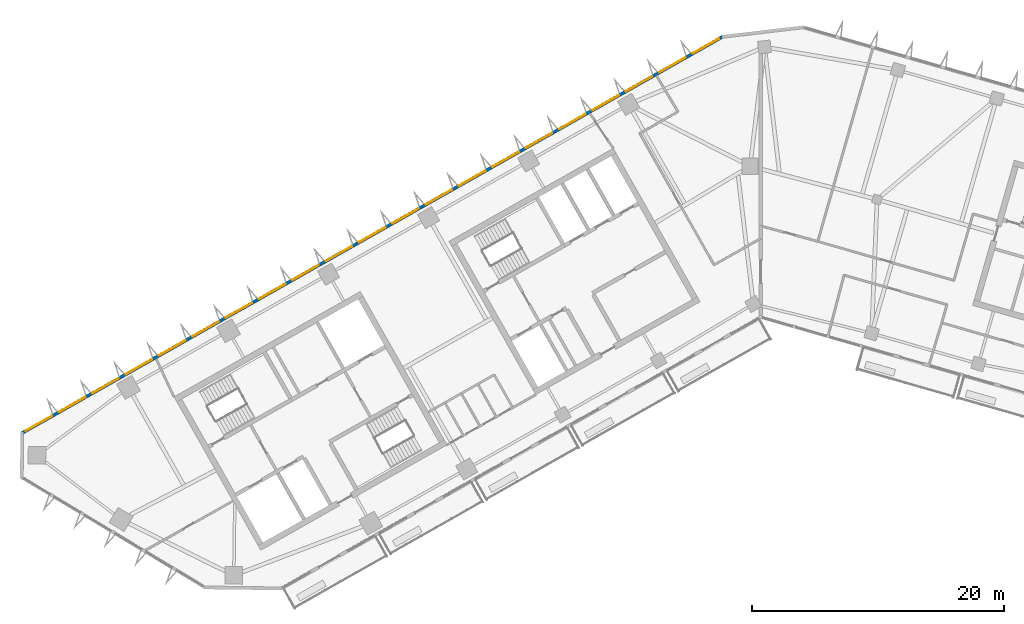
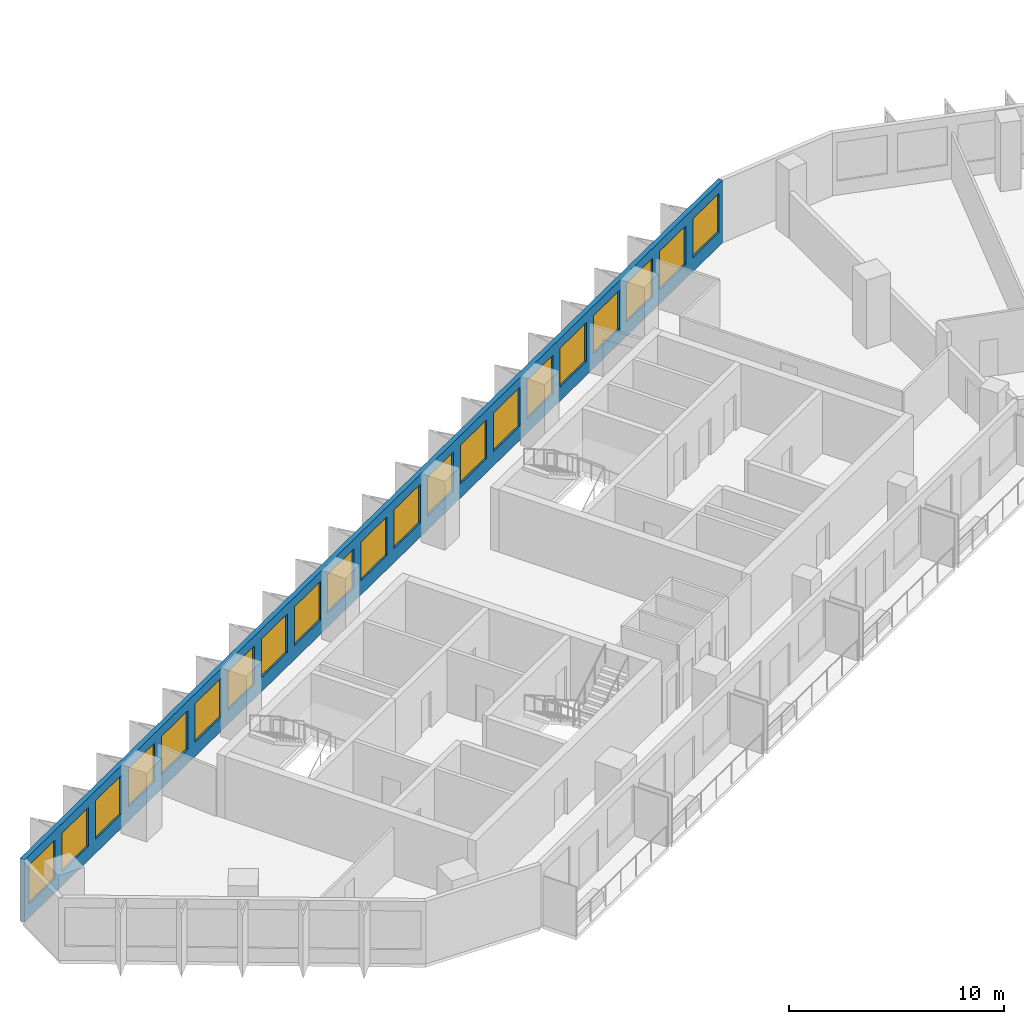
# One storey, part 4 of 12: 21 windows, 1 wall, 21 openings.
"""IFC4 building model written with IfcOpenShell, lengths in metres."""

from ifc_helpers import new_model, si_unit, direction, frame, frame_2d, origin, place, context, subcontext, project, spatial, rectangle, extrude, material, layer, layer_set, type_object, element, fill, save


model = new_model("IFC4")

# Units and contexts
model_context = context("Model", 3, precision=1e-05, world=origin(), true_north=direction((0.0, 1.0)))
body_context = subcontext(model_context, "Body", "Model", "MODEL_VIEW")
ifc_project = project(units=[si_unit("LENGTHUNIT", "METRE"), si_unit("AREAUNIT", "SQUARE_METRE"), si_unit("VOLUMEUNIT", "CUBIC_METRE"), si_unit("PLANEANGLEUNIT", "RADIAN"), si_unit("MASSUNIT", "GRAM", prefix="KILO")], contexts=[model_context])

# Site, building, storey
site_placement = place(None, origin())
site = spatial("IfcSite", under=ifc_project, at=site_placement, CompositionType="ELEMENT")
building_placement = place(site_placement, origin())
building = spatial("IfcBuilding", under=site, at=building_placement, Name="Binnacle Exchange Tower", CompositionType="ELEMENT")
storey_placement = place(building_placement, frame((0.0, 0.0, 254.300048828125)))
storey = spatial("IfcBuildingStorey", under=building, at=storey_placement, Name="L56", CompositionType="ELEMENT", Elevation=254.300048828125)

# Wall, openings, windows
ifc_material_1 = material(Name="Bronze aluminium cladding", Category="aluminium")
ifc_layer = layer(ifc_material_1, 0.25)
ifc_layer_set = layer_set([ifc_layer], Name="External wall - window wall 250")
wall_type = type_object("IfcWallType", Name="External wall - window wall 250", PredefinedType="STANDARD", material=ifc_layer_set)
wall_placement = place(storey_placement, frame((-58.732177734375, 38.770751953125, 0.0), z_axis=(0.0, 0.0, 1.0), x_axis=(0.870354824205, 0.492425100887, 0.0)))
wall = element("IfcWall", 1, at=wall_placement, inside=storey, type_object=wall_type, Name="External wall EW-G08 L56", PredefinedType="STANDARD", context=body_context, shape_type="SweptSolid", body=[
    extrude(rectangle(XDim=64.005859375, YDim=0.25, at=frame_2d((32.0029296875, 0.0))), origin(), (0.0, 0.0, 1.0), 3.550048828125),
])
opening_1_placement = place(wall_placement, frame((61.25927734375, 0.0, 0.800048828125)))
opening_1 = element("IfcOpeningElement", 2, at=opening_1_placement, cuts=wall, Name="Opening WR1", PredefinedType="OPENING", context=body_context, shape_type="SweptSolid", body=[
    extrude(rectangle(XDim=2.39990234375, YDim=2.199951171875, at=frame_2d((1.199951171875, 1.10009765625))), frame((0.0, 0.135009765625, 0.0), z_axis=(0.0, -1.0, 0.0), x_axis=(1.0, 0.0, 0.0)), (0.0, 0.0, 1.0), 0.27001953125),
])
opening_2_placement = place(wall_placement, frame((58.2158203125, 0.0, 0.800048828125)))
opening_2 = element("IfcOpeningElement", 3, at=opening_2_placement, cuts=wall, Name="Opening WR1", PredefinedType="OPENING", context=body_context, shape_type="SweptSolid", body=[
    extrude(rectangle(XDim=2.39990234375, YDim=2.199951171875, at=frame_2d((1.199951171875, 1.10009765625))), frame((0.0, 0.135009765625, 0.0), z_axis=(0.0, -1.0, 0.0), x_axis=(1.0, 0.0, 0.0)), (0.0, 0.0, 1.0), 0.27001953125),
])
opening_3_placement = place(wall_placement, frame((55.172607421875, 0.0, 0.800048828125)))
opening_3 = element("IfcOpeningElement", 4, at=opening_3_placement, cuts=wall, Name="Opening WR1", PredefinedType="OPENING", context=body_context, shape_type="SweptSolid", body=[
    extrude(rectangle(XDim=2.39990234375, YDim=2.199951171875, at=frame_2d((1.199951171875, 1.10009765625))), frame((0.0, 0.135009765625, 0.0), z_axis=(0.0, -1.0, 0.0), x_axis=(1.0, 0.0, 0.0)), (0.0, 0.0, 1.0), 0.27001953125),
])
opening_4_placement = place(wall_placement, frame((52.12939453125, 0.0, 0.800048828125)))
opening_4 = element("IfcOpeningElement", 5, at=opening_4_placement, cuts=wall, Name="Opening WR1", PredefinedType="OPENING", context=body_context, shape_type="SweptSolid", body=[
    extrude(rectangle(XDim=2.39990234375, YDim=2.199951171875, at=frame_2d((1.199951171875, 1.10009765625))), frame((0.0, 0.135009765625, 0.0), z_axis=(0.0, -1.0, 0.0), x_axis=(1.0, 0.0, 0.0)), (0.0, 0.0, 1.0), 0.27001953125),
])
opening_5_placement = place(wall_placement, frame((49.0859375, 0.0, 0.800048828125)))
opening_5 = element("IfcOpeningElement", 6, at=opening_5_placement, cuts=wall, Name="Opening WR1", PredefinedType="OPENING", context=body_context, shape_type="SweptSolid", body=[
    extrude(rectangle(XDim=2.39990234375, YDim=2.199951171875, at=frame_2d((1.199951171875, 1.10009765625))), frame((0.0, 0.135009765625, 0.0), z_axis=(0.0, -1.0, 0.0), x_axis=(1.0, 0.0, 0.0)), (0.0, 0.0, 1.0), 0.27001953125),
])
opening_6_placement = place(wall_placement, frame((46.042724609375, 0.0, 0.800048828125)))
opening_6 = element("IfcOpeningElement", 7, at=opening_6_placement, cuts=wall, Name="Opening WR1", PredefinedType="OPENING", context=body_context, shape_type="SweptSolid", body=[
    extrude(rectangle(XDim=2.39990234375, YDim=2.199951171875, at=frame_2d((1.199951171875, 1.10009765625))), frame((0.0, 0.135009765625, 0.0), z_axis=(0.0, -1.0, 0.0), x_axis=(1.0, 0.0, 0.0)), (0.0, 0.0, 1.0), 0.27001953125),
])
opening_7_placement = place(wall_placement, frame((42.99951171875, 0.0, 0.800048828125)))
opening_7 = element("IfcOpeningElement", 8, at=opening_7_placement, cuts=wall, Name="Opening WR1", PredefinedType="OPENING", context=body_context, shape_type="SweptSolid", body=[
    extrude(rectangle(XDim=2.39990234375, YDim=2.199951171875, at=frame_2d((1.199951171875, 1.10009765625))), frame((0.0, 0.135009765625, 0.0), z_axis=(0.0, -1.0, 0.0), x_axis=(1.0, 0.0, 0.0)), (0.0, 0.0, 1.0), 0.27001953125),
])
opening_8_placement = place(wall_placement, frame((39.956298828125, 0.0, 0.800048828125)))
opening_8 = element("IfcOpeningElement", 9, at=opening_8_placement, cuts=wall, Name="Opening WR1", PredefinedType="OPENING", context=body_context, shape_type="SweptSolid", body=[
    extrude(rectangle(XDim=2.39990234375, YDim=2.199951171875, at=frame_2d((1.199951171875, 1.10009765625))), frame((0.0, 0.135009765625, 0.0), z_axis=(0.0, -1.0, 0.0), x_axis=(1.0, 0.0, 0.0)), (0.0, 0.0, 1.0), 0.27001953125),
])
opening_9_placement = place(wall_placement, frame((36.912841796875, 0.0, 0.800048828125)))
opening_9 = element("IfcOpeningElement", 10, at=opening_9_placement, cuts=wall, Name="Opening WR1", PredefinedType="OPENING", context=body_context, shape_type="SweptSolid", body=[
    extrude(rectangle(XDim=2.39990234375, YDim=2.199951171875, at=frame_2d((1.199951171875, 1.10009765625))), frame((0.0, 0.135009765625, 0.0), z_axis=(0.0, -1.0, 0.0), x_axis=(1.0, 0.0, 0.0)), (0.0, 0.0, 1.0), 0.27001953125),
])
opening_10_placement = place(wall_placement, frame((33.86962890625, 0.0, 0.800048828125)))
opening_10 = element("IfcOpeningElement", 11, at=opening_10_placement, cuts=wall, Name="Opening WR1", PredefinedType="OPENING", context=body_context, shape_type="SweptSolid", body=[
    extrude(rectangle(XDim=2.39990234375, YDim=2.199951171875, at=frame_2d((1.199951171875, 1.10009765625))), frame((0.0, 0.135009765625, 0.0), z_axis=(0.0, -1.0, 0.0), x_axis=(1.0, 0.0, 0.0)), (0.0, 0.0, 1.0), 0.27001953125),
])
opening_11_placement = place(wall_placement, frame((30.826416015625, 0.0, 0.800048828125)))
opening_11 = element("IfcOpeningElement", 12, at=opening_11_placement, cuts=wall, Name="Opening WR1", PredefinedType="OPENING", context=body_context, shape_type="SweptSolid", body=[
    extrude(rectangle(XDim=2.39990234375, YDim=2.199951171875, at=frame_2d((1.199951171875, 1.10009765625))), frame((0.0, 0.135009765625, 0.0), z_axis=(0.0, -1.0, 0.0), x_axis=(1.0, 0.0, 0.0)), (0.0, 0.0, 1.0), 0.27001953125),
])
opening_12_placement = place(wall_placement, frame((27.782958984375, 0.0, 0.800048828125)))
opening_12 = element("IfcOpeningElement", 13, at=opening_12_placement, cuts=wall, Name="Opening WR1", PredefinedType="OPENING", context=body_context, shape_type="SweptSolid", body=[
    extrude(rectangle(XDim=2.39990234375, YDim=2.199951171875, at=frame_2d((1.199951171875, 1.10009765625))), frame((0.0, 0.135009765625, 0.0), z_axis=(0.0, -1.0, 0.0), x_axis=(1.0, 0.0, 0.0)), (0.0, 0.0, 1.0), 0.27001953125),
])
opening_13_placement = place(wall_placement, frame((24.73974609375, 0.0, 0.800048828125)))
opening_13 = element("IfcOpeningElement", 14, at=opening_13_placement, cuts=wall, Name="Opening WR1", PredefinedType="OPENING", context=body_context, shape_type="SweptSolid", body=[
    extrude(rectangle(XDim=2.39990234375, YDim=2.199951171875, at=frame_2d((1.199951171875, 1.10009765625))), frame((0.0, 0.135009765625, 0.0), z_axis=(0.0, -1.0, 0.0), x_axis=(1.0, 0.0, 0.0)), (0.0, 0.0, 1.0), 0.27001953125),
])
opening_14_placement = place(wall_placement, frame((21.6962890625, 0.0, 0.800048828125)))
opening_14 = element("IfcOpeningElement", 15, at=opening_14_placement, cuts=wall, Name="Opening WR1", PredefinedType="OPENING", context=body_context, shape_type="SweptSolid", body=[
    extrude(rectangle(XDim=2.39990234375, YDim=2.199951171875, at=frame_2d((1.199951171875, 1.10009765625))), frame((0.0, 0.135009765625, 0.0), z_axis=(0.0, -1.0, 0.0), x_axis=(1.0, 0.0, 0.0)), (0.0, 0.0, 1.0), 0.27001953125),
])
opening_15_placement = place(wall_placement, frame((18.6533203125, 0.0, 0.800048828125)))
opening_15 = element("IfcOpeningElement", 16, at=opening_15_placement, cuts=wall, Name="Opening WR1", PredefinedType="OPENING", context=body_context, shape_type="SweptSolid", body=[
    extrude(rectangle(XDim=2.39990234375, YDim=2.199951171875, at=frame_2d((1.199951171875, 1.10009765625))), frame((0.0, 0.135009765625, 0.0), z_axis=(0.0, -1.0, 0.0), x_axis=(1.0, 0.0, 0.0)), (0.0, 0.0, 1.0), 0.27001953125),
])
opening_16_placement = place(wall_placement, frame((15.60986328125, 0.0, 0.800048828125)))
opening_16 = element("IfcOpeningElement", 17, at=opening_16_placement, cuts=wall, Name="Opening WR1", PredefinedType="OPENING", context=body_context, shape_type="SweptSolid", body=[
    extrude(rectangle(XDim=2.39990234375, YDim=2.199951171875, at=frame_2d((1.199951171875, 1.10009765625))), frame((0.0, 0.135009765625, 0.0), z_axis=(0.0, -1.0, 0.0), x_axis=(1.0, 0.0, 0.0)), (0.0, 0.0, 1.0), 0.27001953125),
])
opening_17_placement = place(wall_placement, frame((12.566650390625, 0.0, 0.800048828125)))
opening_17 = element("IfcOpeningElement", 18, at=opening_17_placement, cuts=wall, Name="Opening WR1", PredefinedType="OPENING", context=body_context, shape_type="SweptSolid", body=[
    extrude(rectangle(XDim=2.39990234375, YDim=2.199951171875, at=frame_2d((1.199951171875, 1.10009765625))), frame((0.0, 0.135009765625, 0.0), z_axis=(0.0, -1.0, 0.0), x_axis=(1.0, 0.0, 0.0)), (0.0, 0.0, 1.0), 0.27001953125),
])
opening_18_placement = place(wall_placement, frame((9.523193359375, 0.0, 0.800048828125)))
opening_18 = element("IfcOpeningElement", 19, at=opening_18_placement, cuts=wall, Name="Opening WR1", PredefinedType="OPENING", context=body_context, shape_type="SweptSolid", body=[
    extrude(rectangle(XDim=2.39990234375, YDim=2.199951171875, at=frame_2d((1.199951171875, 1.10009765625))), frame((0.0, 0.135009765625, 0.0), z_axis=(0.0, -1.0, 0.0), x_axis=(1.0, 0.0, 0.0)), (0.0, 0.0, 1.0), 0.27001953125),
])
opening_19_placement = place(wall_placement, frame((6.47998046875, 0.0, 0.800048828125)))
opening_19 = element("IfcOpeningElement", 20, at=opening_19_placement, cuts=wall, Name="Opening WR1", PredefinedType="OPENING", context=body_context, shape_type="SweptSolid", body=[
    extrude(rectangle(XDim=2.39990234375, YDim=2.199951171875, at=frame_2d((1.199951171875, 1.10009765625))), frame((0.0, 0.135009765625, 0.0), z_axis=(0.0, -1.0, 0.0), x_axis=(1.0, 0.0, 0.0)), (0.0, 0.0, 1.0), 0.27001953125),
])
opening_20_placement = place(wall_placement, frame((3.436767578125, 0.0, 0.800048828125)))
opening_20 = element("IfcOpeningElement", 21, at=opening_20_placement, cuts=wall, Name="Opening WR1", PredefinedType="OPENING", context=body_context, shape_type="SweptSolid", body=[
    extrude(rectangle(XDim=2.39990234375, YDim=2.199951171875, at=frame_2d((1.199951171875, 1.10009765625))), frame((0.0, 0.135009765625, 0.0), z_axis=(0.0, -1.0, 0.0), x_axis=(1.0, 0.0, 0.0)), (0.0, 0.0, 1.0), 0.27001953125),
])
opening_21_placement = place(wall_placement, frame((0.393310546875, 0.0, 0.800048828125)))
opening_21 = element("IfcOpeningElement", 22, at=opening_21_placement, cuts=wall, Name="Opening WR1", PredefinedType="OPENING", context=body_context, shape_type="SweptSolid", body=[
    extrude(rectangle(XDim=2.39990234375, YDim=2.199951171875, at=frame_2d((1.199951171875, 1.10009765625))), frame((0.0, 0.135009765625, 0.0), z_axis=(0.0, -1.0, 0.0), x_axis=(1.0, 0.0, 0.0)), (0.0, 0.0, 1.0), 0.27001953125),
])
ifc_material_2 = material(Name="Bronze anodised aluminium frame", Category="aluminium")
window_type = type_object("IfcWindowType", Name="WR1 WINDOW 2400x2200", PartitioningType="SINGLE_PANEL", PredefinedType="WINDOW", material=ifc_material_2)
window_1_placement = place(opening_1_placement, origin())
window_1 = element("IfcWindow", 23, at=window_1_placement, inside=storey, type_object=window_type, Name="Window WR1 L56", OverallHeight=2.199951171875, OverallWidth=2.39990234375, PartitioningType="SINGLE_PANEL", PredefinedType="WINDOW", context=body_context, shape_type="SweptSolid", body=[
    extrude(rectangle(XDim=2.39990234375, YDim=2.199951171875, at=frame_2d((1.199951171875, 1.10009765625))), frame((0.0, 0.030029296875, 0.0), z_axis=(0.0, -1.0, 0.0), x_axis=(1.0, 0.0, 0.0)), (0.0, 0.0, 1.0), 0.06005859375),
])
fill(opening_1, window_1)
window_2_placement = place(opening_2_placement, origin())
window_2 = element("IfcWindow", 24, at=window_2_placement, inside=storey, type_object=window_type, Name="Window WR1 L56", OverallHeight=2.199951171875, OverallWidth=2.39990234375, PartitioningType="SINGLE_PANEL", PredefinedType="WINDOW", context=body_context, shape_type="SweptSolid", body=[
    extrude(rectangle(XDim=2.39990234375, YDim=2.199951171875, at=frame_2d((1.199951171875, 1.10009765625))), frame((0.0, 0.030029296875, 0.0), z_axis=(0.0, -1.0, 0.0), x_axis=(1.0, 0.0, 0.0)), (0.0, 0.0, 1.0), 0.06005859375),
])
fill(opening_2, window_2)
window_3_placement = place(opening_3_placement, origin())
window_3 = element("IfcWindow", 25, at=window_3_placement, inside=storey, type_object=window_type, Name="Window WR1 L56", OverallHeight=2.199951171875, OverallWidth=2.39990234375, PartitioningType="SINGLE_PANEL", PredefinedType="WINDOW", context=body_context, shape_type="SweptSolid", body=[
    extrude(rectangle(XDim=2.39990234375, YDim=2.199951171875, at=frame_2d((1.199951171875, 1.10009765625))), frame((0.0, 0.030029296875, 0.0), z_axis=(0.0, -1.0, 0.0), x_axis=(1.0, 0.0, 0.0)), (0.0, 0.0, 1.0), 0.06005859375),
])
fill(opening_3, window_3)
window_4_placement = place(opening_4_placement, origin())
window_4 = element("IfcWindow", 26, at=window_4_placement, inside=storey, type_object=window_type, Name="Window WR1 L56", OverallHeight=2.199951171875, OverallWidth=2.39990234375, PartitioningType="SINGLE_PANEL", PredefinedType="WINDOW", context=body_context, shape_type="SweptSolid", body=[
    extrude(rectangle(XDim=2.39990234375, YDim=2.199951171875, at=frame_2d((1.199951171875, 1.10009765625))), frame((0.0, 0.030029296875, 0.0), z_axis=(0.0, -1.0, 0.0), x_axis=(1.0, 0.0, 0.0)), (0.0, 0.0, 1.0), 0.06005859375),
])
fill(opening_4, window_4)
window_5_placement = place(opening_5_placement, origin())
window_5 = element("IfcWindow", 27, at=window_5_placement, inside=storey, type_object=window_type, Name="Window WR1 L56", OverallHeight=2.199951171875, OverallWidth=2.39990234375, PartitioningType="SINGLE_PANEL", PredefinedType="WINDOW", context=body_context, shape_type="SweptSolid", body=[
    extrude(rectangle(XDim=2.39990234375, YDim=2.199951171875, at=frame_2d((1.199951171875, 1.10009765625))), frame((0.0, 0.030029296875, 0.0), z_axis=(0.0, -1.0, 0.0), x_axis=(1.0, 0.0, 0.0)), (0.0, 0.0, 1.0), 0.06005859375),
])
fill(opening_5, window_5)
window_6_placement = place(opening_6_placement, origin())
window_6 = element("IfcWindow", 28, at=window_6_placement, inside=storey, type_object=window_type, Name="Window WR1 L56", OverallHeight=2.199951171875, OverallWidth=2.39990234375, PartitioningType="SINGLE_PANEL", PredefinedType="WINDOW", context=body_context, shape_type="SweptSolid", body=[
    extrude(rectangle(XDim=2.39990234375, YDim=2.199951171875, at=frame_2d((1.199951171875, 1.10009765625))), frame((0.0, 0.030029296875, 0.0), z_axis=(0.0, -1.0, 0.0), x_axis=(1.0, 0.0, 0.0)), (0.0, 0.0, 1.0), 0.06005859375),
])
fill(opening_6, window_6)
window_7_placement = place(opening_7_placement, origin())
window_7 = element("IfcWindow", 29, at=window_7_placement, inside=storey, type_object=window_type, Name="Window WR1 L56", OverallHeight=2.199951171875, OverallWidth=2.39990234375, PartitioningType="SINGLE_PANEL", PredefinedType="WINDOW", context=body_context, shape_type="SweptSolid", body=[
    extrude(rectangle(XDim=2.39990234375, YDim=2.199951171875, at=frame_2d((1.199951171875, 1.10009765625))), frame((0.0, 0.030029296875, 0.0), z_axis=(0.0, -1.0, 0.0), x_axis=(1.0, 0.0, 0.0)), (0.0, 0.0, 1.0), 0.06005859375),
])
fill(opening_7, window_7)
window_8_placement = place(opening_8_placement, origin())
window_8 = element("IfcWindow", 30, at=window_8_placement, inside=storey, type_object=window_type, Name="Window WR1 L56", OverallHeight=2.199951171875, OverallWidth=2.39990234375, PartitioningType="SINGLE_PANEL", PredefinedType="WINDOW", context=body_context, shape_type="SweptSolid", body=[
    extrude(rectangle(XDim=2.39990234375, YDim=2.199951171875, at=frame_2d((1.199951171875, 1.10009765625))), frame((0.0, 0.030029296875, 0.0), z_axis=(0.0, -1.0, 0.0), x_axis=(1.0, 0.0, 0.0)), (0.0, 0.0, 1.0), 0.06005859375),
])
fill(opening_8, window_8)
window_9_placement = place(opening_9_placement, origin())
window_9 = element("IfcWindow", 31, at=window_9_placement, inside=storey, type_object=window_type, Name="Window WR1 L56", OverallHeight=2.199951171875, OverallWidth=2.39990234375, PartitioningType="SINGLE_PANEL", PredefinedType="WINDOW", context=body_context, shape_type="SweptSolid", body=[
    extrude(rectangle(XDim=2.39990234375, YDim=2.199951171875, at=frame_2d((1.199951171875, 1.10009765625))), frame((0.0, 0.030029296875, 0.0), z_axis=(0.0, -1.0, 0.0), x_axis=(1.0, 0.0, 0.0)), (0.0, 0.0, 1.0), 0.06005859375),
])
fill(opening_9, window_9)
window_10_placement = place(opening_10_placement, origin())
window_10 = element("IfcWindow", 32, at=window_10_placement, inside=storey, type_object=window_type, Name="Window WR1 L56", OverallHeight=2.199951171875, OverallWidth=2.39990234375, PartitioningType="SINGLE_PANEL", PredefinedType="WINDOW", context=body_context, shape_type="SweptSolid", body=[
    extrude(rectangle(XDim=2.39990234375, YDim=2.199951171875, at=frame_2d((1.199951171875, 1.10009765625))), frame((0.0, 0.030029296875, 0.0), z_axis=(0.0, -1.0, 0.0), x_axis=(1.0, 0.0, 0.0)), (0.0, 0.0, 1.0), 0.06005859375),
])
fill(opening_10, window_10)
window_11_placement = place(opening_11_placement, origin())
window_11 = element("IfcWindow", 33, at=window_11_placement, inside=storey, type_object=window_type, Name="Window WR1 L56", OverallHeight=2.199951171875, OverallWidth=2.39990234375, PartitioningType="SINGLE_PANEL", PredefinedType="WINDOW", context=body_context, shape_type="SweptSolid", body=[
    extrude(rectangle(XDim=2.39990234375, YDim=2.199951171875, at=frame_2d((1.199951171875, 1.10009765625))), frame((0.0, 0.030029296875, 0.0), z_axis=(0.0, -1.0, 0.0), x_axis=(1.0, 0.0, 0.0)), (0.0, 0.0, 1.0), 0.06005859375),
])
fill(opening_11, window_11)
window_12_placement = place(opening_12_placement, origin())
window_12 = element("IfcWindow", 34, at=window_12_placement, inside=storey, type_object=window_type, Name="Window WR1 L56", OverallHeight=2.199951171875, OverallWidth=2.39990234375, PartitioningType="SINGLE_PANEL", PredefinedType="WINDOW", context=body_context, shape_type="SweptSolid", body=[
    extrude(rectangle(XDim=2.39990234375, YDim=2.199951171875, at=frame_2d((1.199951171875, 1.10009765625))), frame((0.0, 0.030029296875, 0.0), z_axis=(0.0, -1.0, 0.0), x_axis=(1.0, 0.0, 0.0)), (0.0, 0.0, 1.0), 0.06005859375),
])
fill(opening_12, window_12)
window_13_placement = place(opening_13_placement, origin())
window_13 = element("IfcWindow", 35, at=window_13_placement, inside=storey, type_object=window_type, Name="Window WR1 L56", OverallHeight=2.199951171875, OverallWidth=2.39990234375, PartitioningType="SINGLE_PANEL", PredefinedType="WINDOW", context=body_context, shape_type="SweptSolid", body=[
    extrude(rectangle(XDim=2.39990234375, YDim=2.199951171875, at=frame_2d((1.199951171875, 1.10009765625))), frame((0.0, 0.030029296875, 0.0), z_axis=(0.0, -1.0, 0.0), x_axis=(1.0, 0.0, 0.0)), (0.0, 0.0, 1.0), 0.06005859375),
])
fill(opening_13, window_13)
window_14_placement = place(opening_14_placement, origin())
window_14 = element("IfcWindow", 36, at=window_14_placement, inside=storey, type_object=window_type, Name="Window WR1 L56", OverallHeight=2.199951171875, OverallWidth=2.39990234375, PartitioningType="SINGLE_PANEL", PredefinedType="WINDOW", context=body_context, shape_type="SweptSolid", body=[
    extrude(rectangle(XDim=2.39990234375, YDim=2.199951171875, at=frame_2d((1.199951171875, 1.10009765625))), frame((0.0, 0.030029296875, 0.0), z_axis=(0.0, -1.0, 0.0), x_axis=(1.0, 0.0, 0.0)), (0.0, 0.0, 1.0), 0.06005859375),
])
fill(opening_14, window_14)
window_15_placement = place(opening_15_placement, origin())
window_15 = element("IfcWindow", 37, at=window_15_placement, inside=storey, type_object=window_type, Name="Window WR1 L56", OverallHeight=2.199951171875, OverallWidth=2.39990234375, PartitioningType="SINGLE_PANEL", PredefinedType="WINDOW", context=body_context, shape_type="SweptSolid", body=[
    extrude(rectangle(XDim=2.39990234375, YDim=2.199951171875, at=frame_2d((1.199951171875, 1.10009765625))), frame((0.0, 0.030029296875, 0.0), z_axis=(0.0, -1.0, 0.0), x_axis=(1.0, 0.0, 0.0)), (0.0, 0.0, 1.0), 0.06005859375),
])
fill(opening_15, window_15)
window_16_placement = place(opening_16_placement, origin())
window_16 = element("IfcWindow", 38, at=window_16_placement, inside=storey, type_object=window_type, Name="Window WR1 L56", OverallHeight=2.199951171875, OverallWidth=2.39990234375, PartitioningType="SINGLE_PANEL", PredefinedType="WINDOW", context=body_context, shape_type="SweptSolid", body=[
    extrude(rectangle(XDim=2.39990234375, YDim=2.199951171875, at=frame_2d((1.199951171875, 1.10009765625))), frame((0.0, 0.030029296875, 0.0), z_axis=(0.0, -1.0, 0.0), x_axis=(1.0, 0.0, 0.0)), (0.0, 0.0, 1.0), 0.06005859375),
])
fill(opening_16, window_16)
window_17_placement = place(opening_17_placement, origin())
window_17 = element("IfcWindow", 39, at=window_17_placement, inside=storey, type_object=window_type, Name="Window WR1 L56", OverallHeight=2.199951171875, OverallWidth=2.39990234375, PartitioningType="SINGLE_PANEL", PredefinedType="WINDOW", context=body_context, shape_type="SweptSolid", body=[
    extrude(rectangle(XDim=2.39990234375, YDim=2.199951171875, at=frame_2d((1.199951171875, 1.10009765625))), frame((0.0, 0.030029296875, 0.0), z_axis=(0.0, -1.0, 0.0), x_axis=(1.0, 0.0, 0.0)), (0.0, 0.0, 1.0), 0.06005859375),
])
fill(opening_17, window_17)
window_18_placement = place(opening_18_placement, origin())
window_18 = element("IfcWindow", 40, at=window_18_placement, inside=storey, type_object=window_type, Name="Window WR1 L56", OverallHeight=2.199951171875, OverallWidth=2.39990234375, PartitioningType="SINGLE_PANEL", PredefinedType="WINDOW", context=body_context, shape_type="SweptSolid", body=[
    extrude(rectangle(XDim=2.39990234375, YDim=2.199951171875, at=frame_2d((1.199951171875, 1.10009765625))), frame((0.0, 0.030029296875, 0.0), z_axis=(0.0, -1.0, 0.0), x_axis=(1.0, 0.0, 0.0)), (0.0, 0.0, 1.0), 0.06005859375),
])
fill(opening_18, window_18)
window_19_placement = place(opening_19_placement, origin())
window_19 = element("IfcWindow", 41, at=window_19_placement, inside=storey, type_object=window_type, Name="Window WR1 L56", OverallHeight=2.199951171875, OverallWidth=2.39990234375, PartitioningType="SINGLE_PANEL", PredefinedType="WINDOW", context=body_context, shape_type="SweptSolid", body=[
    extrude(rectangle(XDim=2.39990234375, YDim=2.199951171875, at=frame_2d((1.199951171875, 1.10009765625))), frame((0.0, 0.030029296875, 0.0), z_axis=(0.0, -1.0, 0.0), x_axis=(1.0, 0.0, 0.0)), (0.0, 0.0, 1.0), 0.06005859375),
])
fill(opening_19, window_19)
window_20_placement = place(opening_20_placement, origin())
window_20 = element("IfcWindow", 42, at=window_20_placement, inside=storey, type_object=window_type, Name="Window WR1 L56", OverallHeight=2.199951171875, OverallWidth=2.39990234375, PartitioningType="SINGLE_PANEL", PredefinedType="WINDOW", context=body_context, shape_type="SweptSolid", body=[
    extrude(rectangle(XDim=2.39990234375, YDim=2.199951171875, at=frame_2d((1.199951171875, 1.10009765625))), frame((0.0, 0.030029296875, 0.0), z_axis=(0.0, -1.0, 0.0), x_axis=(1.0, 0.0, 0.0)), (0.0, 0.0, 1.0), 0.06005859375),
])
fill(opening_20, window_20)
window_21_placement = place(opening_21_placement, origin())
window_21 = element("IfcWindow", 43, at=window_21_placement, inside=storey, type_object=window_type, Name="Window WR1 L56", OverallHeight=2.199951171875, OverallWidth=2.39990234375, PartitioningType="SINGLE_PANEL", PredefinedType="WINDOW", context=body_context, shape_type="SweptSolid", body=[
    extrude(rectangle(XDim=2.39990234375, YDim=2.199951171875, at=frame_2d((1.199951171875, 1.10009765625))), frame((0.0, 0.030029296875, 0.0), z_axis=(0.0, -1.0, 0.0), x_axis=(1.0, 0.0, 0.0)), (0.0, 0.0, 1.0), 0.06005859375),
])
fill(opening_21, window_21)

save(model, "model.ifc")
